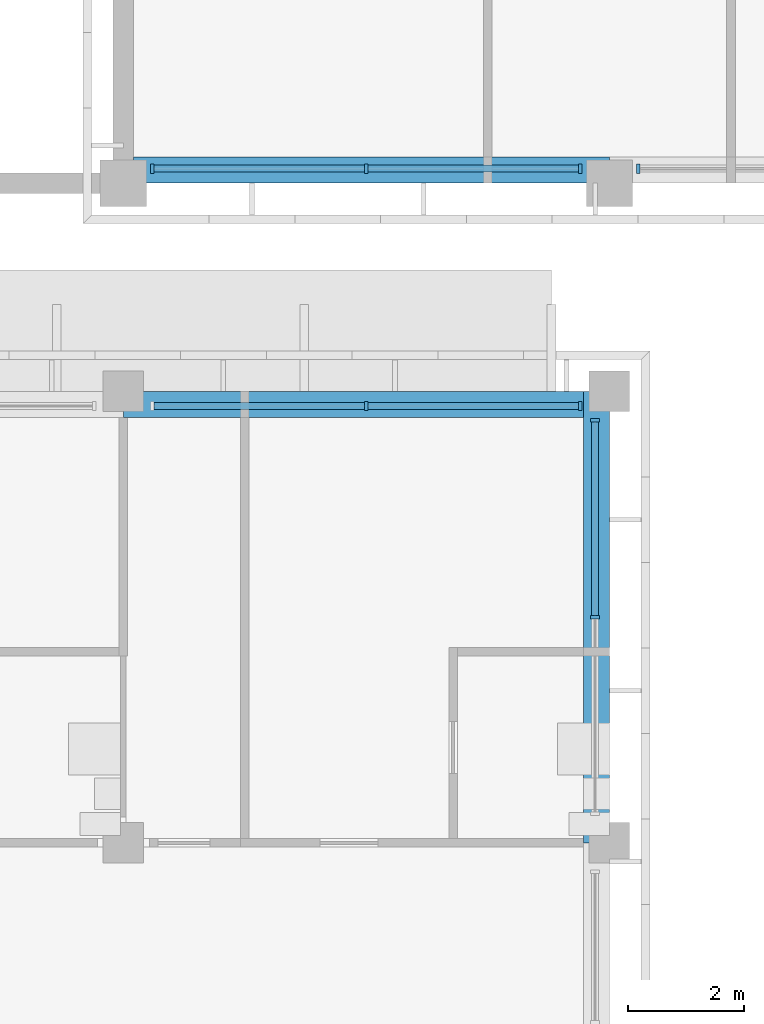
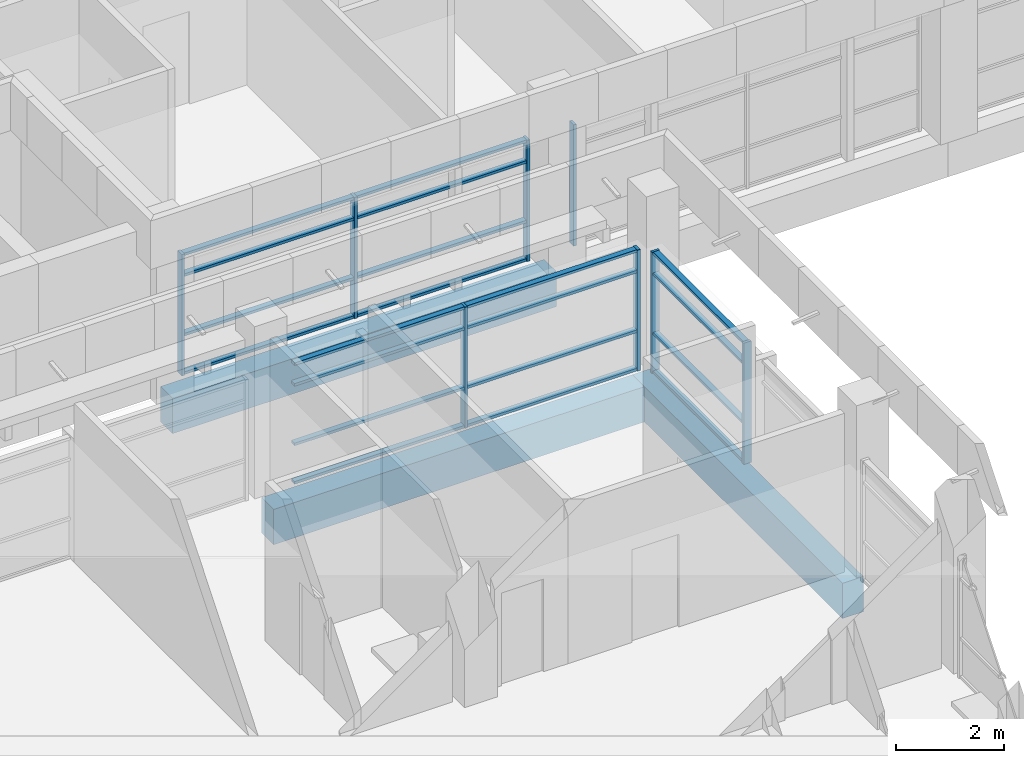
# One storey, part 16 of 71: 28 members, 3 beams, 4 elements without a shape of their own.
"""IFC4 building model written with IfcOpenShell, lengths in metres."""

from ifc_helpers import new_model, si_unit, direction, frame, origin, origin_2d, place, context, subcontext, project, spatial, rectangle, extrude, material, material_profile, profile_set, type_object, element, aggregate, save


model = new_model("IFC4")

# Units and contexts
model_context = context("Model", 3, precision=1e-05, world=origin(), true_north=direction((0.0, 1.0)))
body_context = subcontext(model_context, "Body", "Model", "MODEL_VIEW")
ifc_project = project(units=[si_unit("LENGTHUNIT", "METRE"), si_unit("AREAUNIT", "SQUARE_METRE"), si_unit("VOLUMEUNIT", "CUBIC_METRE"), si_unit("PLANEANGLEUNIT", "RADIAN"), si_unit("MASSUNIT", "GRAM", prefix="KILO")], contexts=[model_context])

# Site, building, storey
site_placement = place(None, origin())
site = spatial("IfcSite", under=ifc_project, at=site_placement, CompositionType="ELEMENT")
building_placement = place(site_placement, origin())
building = spatial("IfcBuilding", under=site, at=building_placement, Name="Bougainvillea Quay General Hospital", CompositionType="ELEMENT")
storey_placement = place(building_placement, frame((0.0, 0.0, 24.89990234375)))
storey = spatial("IfcBuildingStorey", under=building, at=storey_placement, Name="L05", CompositionType="ELEMENT", Elevation=24.89990234375)

# Curtain wall, members
ifc_material_1 = material(Name="Aluminium curtain wall system, powder-coated glazed", Category="aluminium")
curtain_wall_type_1 = type_object("IfcCurtainWallType", Name="Unitised curtain wall CW-3730", PredefinedType="NOTDEFINED", material=ifc_material_1)
curtain_wall_1_placement = place(storey_placement, origin())
curtain_wall_1 = element("IfcCurtainWall", 1, at=curtain_wall_1_placement, inside=storey, type_object=curtain_wall_type_1, Name="CW-4200 00", PredefinedType="NOTDEFINED")
ifc_material_2 = material(Name="Aluminium mullion, powder-coated charcoal", Category="aluminium")
ifc_material_profile_1 = material_profile(ifc_material_2, rectangle(XDim=0.159912109375, YDim=0.06005859375, at=origin_2d()))
ifc_profile_set_1 = profile_set([ifc_material_profile_1], Name="Aluminium mullion, powder-coated charcoal")
member_type_1 = type_object("IfcMemberType", Name="Curtain wall mullion 160x60", PredefinedType="MULLION", material=ifc_profile_set_1)
member_1_placement = place(storey_placement, frame((160.10009765625, 140.64990234375, 0.0), z_axis=(0.0, 0.0, 1.0), x_axis=(0.0, 1.0, 0.0)))
member_1 = element("IfcMember", 2, at=member_1_placement, type_object=member_type_1, Name="CW-4200 mullion 1", PredefinedType="MULLION", context=body_context, shape_type="SweptSolid", body=[
    extrude(rectangle(XDim=0.159912109375, YDim=0.06005859375, at=origin_2d()), origin(), (0.0, 0.0, 1.0), 2.75),
])
member_2_placement = place(storey_placement, frame((163.800048828125, 140.64990234375, 0.0), z_axis=(0.0, 0.0, 1.0), x_axis=(0.0, 1.0, 0.0)))
member_2 = element("IfcMember", 3, at=member_2_placement, type_object=member_type_1, Name="CW-4200 mullion 2", PredefinedType="MULLION", context=body_context, shape_type="SweptSolid", body=[
    extrude(rectangle(XDim=0.159912109375, YDim=0.06005859375, at=origin_2d()), origin(), (0.0, 0.0, 1.0), 2.75),
])
member_3_placement = place(storey_placement, frame((167.5, 140.64990234375, 0.0), z_axis=(0.0, 0.0, 1.0), x_axis=(0.0, 1.0, 0.0)))
member_3 = element("IfcMember", 4, at=member_3_placement, type_object=member_type_1, Name="CW-4200 mullion 3", PredefinedType="MULLION", context=body_context, shape_type="SweptSolid", body=[
    extrude(rectangle(XDim=0.159912109375, YDim=0.06005859375, at=origin_2d()), origin(), (0.0, 0.0, 1.0), 2.75),
])

# Curtain wall, member
curtain_wall_2_placement = place(storey_placement, origin())
curtain_wall_2 = element("IfcCurtainWall", 5, at=curtain_wall_2_placement, inside=storey, type_object=curtain_wall_type_1, Name="CW-4200 01", PredefinedType="NOTDEFINED")
member_4_placement = place(storey_placement, frame((168.5, 140.64990234375, 0.0), z_axis=(0.0, 0.0, 1.0), x_axis=(0.0, 1.0, 0.0)))
member_4 = element("IfcMember", 6, at=member_4_placement, type_object=member_type_1, Name="CW-4200 mullion 1", PredefinedType="MULLION", context=body_context, shape_type="SweptSolid", body=[
    extrude(rectangle(XDim=0.159912109375, YDim=0.06005859375, at=origin_2d()), origin(), (0.0, 0.0, 1.0), 2.75),
])
aggregate(curtain_wall_2, [member_4])

# Curtain wall, members
curtain_wall_type_2 = type_object("IfcCurtainWallType", Name="Unitised curtain wall CW-3430", PredefinedType="NOTDEFINED", material=ifc_material_1)
curtain_wall_3_placement = place(storey_placement, origin())
curtain_wall_3 = element("IfcCurtainWall", 7, at=curtain_wall_3_placement, inside=storey, type_object=curtain_wall_type_2, Name="CW-4200 02", PredefinedType="NOTDEFINED")
member_5_placement = place(storey_placement, frame((167.75, 132.89990234375, 0.0), z_axis=(0.0, 0.0, 1.0), x_axis=(-1.0, 0.0, 0.0)))
member_5 = element("IfcMember", 8, at=member_5_placement, type_object=member_type_1, Name="CW-4200 mullion 2", PredefinedType="MULLION", context=body_context, shape_type="SweptSolid", body=[
    extrude(rectangle(XDim=0.159912109375, YDim=0.06005859375, at=origin_2d()), origin(), (0.0, 0.0, 1.0), 2.75),
])
member_6_placement = place(storey_placement, frame((167.75, 136.300048828125, 0.0), z_axis=(0.0, 0.0, 1.0), x_axis=(-1.0, 0.0, 0.0)))
member_6 = element("IfcMember", 9, at=member_6_placement, type_object=member_type_1, Name="CW-4200 mullion 3", PredefinedType="MULLION", context=body_context, shape_type="SweptSolid", body=[
    extrude(rectangle(XDim=0.159912109375, YDim=0.06005859375, at=origin_2d()), origin(), (0.0, 0.0, 1.0), 2.75),
])

curtain_wall_4_placement = place(storey_placement, origin())
curtain_wall_4 = element("IfcCurtainWall", 10, at=curtain_wall_4_placement, inside=storey, type_object=curtain_wall_type_1, Name="CW-4200 00", PredefinedType="NOTDEFINED")
member_7_placement = place(storey_placement, frame((167.5, 136.550048828125, 0.0), z_axis=(0.0, 0.0, 1.0), x_axis=(0.0, -1.0, 0.0)))
member_7 = element("IfcMember", 11, at=member_7_placement, type_object=member_type_1, Name="CW-4200 mullion 1", PredefinedType="MULLION", context=body_context, shape_type="SweptSolid", body=[
    extrude(rectangle(XDim=0.159912109375, YDim=0.06005859375, at=origin_2d()), origin(), (0.0, 0.0, 1.0), 2.75),
])
member_8_placement = place(storey_placement, frame((163.800048828125, 136.550048828125, 0.0), z_axis=(0.0, 0.0, 1.0), x_axis=(0.0, -1.0, 0.0)))
member_8 = element("IfcMember", 12, at=member_8_placement, type_object=member_type_1, Name="CW-4200 mullion 2", PredefinedType="MULLION", context=body_context, shape_type="SweptSolid", body=[
    extrude(rectangle(XDim=0.159912109375, YDim=0.06005859375, at=origin_2d()), origin(), (0.0, 0.0, 1.0), 2.75),
])

# Member
ifc_material_3 = material(Name="Aluminium transom, powder-coated charcoal", Category="aluminium")
ifc_material_profile_2 = material_profile(ifc_material_3, rectangle(XDim=0.1201171875, YDim=0.06005859375, at=origin_2d()))
ifc_profile_set_2 = profile_set([ifc_material_profile_2], Name="Aluminium transom, powder-coated charcoal")
member_type_2 = type_object("IfcMemberType", Name="Curtain wall transom 120x60", PredefinedType="USERDEFINED", material=ifc_profile_set_2)
member_9_placement = place(storey_placement, frame((160.1298828125, 140.64990234375, 0.030029296875), z_axis=(1.0, 0.0, 0.0), x_axis=(0.0, 1.0, 0.0)))
member_9 = element("IfcMember", 13, at=member_9_placement, type_object=member_type_2, Name="CW-4200 transom 1.1", ObjectType="TRANSOM", PredefinedType="USERDEFINED", context=body_context, shape_type="SweptSolid", body=[
    extrude(rectangle(XDim=0.1201171875, YDim=0.06005859375, at=origin_2d()), origin(), (0.0, 0.0, 1.0), 3.64013671875),
])

member_10_placement = place(storey_placement, frame((160.1298828125, 140.64990234375, 0.900146484375), z_axis=(1.0, 0.0, 0.0), x_axis=(0.0, 1.0, 0.0)))
member_10 = element("IfcMember", 14, at=member_10_placement, type_object=member_type_2, Name="CW-4200 transom 1.2", ObjectType="TRANSOM", PredefinedType="USERDEFINED", context=body_context, shape_type="SweptSolid", body=[
    extrude(rectangle(XDim=0.1201171875, YDim=0.06005859375, at=origin_2d()), origin(), (0.0, 0.0, 1.0), 3.64013671875),
])

member_11_placement = place(storey_placement, frame((160.1298828125, 140.64990234375, 2.25), z_axis=(1.0, 0.0, 0.0), x_axis=(0.0, 1.0, 0.0)))
member_11 = element("IfcMember", 15, at=member_11_placement, type_object=member_type_2, Name="CW-4200 transom 1.3", ObjectType="TRANSOM", PredefinedType="USERDEFINED", context=body_context, shape_type="SweptSolid", body=[
    extrude(rectangle(XDim=0.1201171875, YDim=0.06005859375, at=origin_2d()), origin(), (0.0, 0.0, 1.0), 3.64013671875),
])

member_12_placement = place(storey_placement, frame((160.1298828125, 140.64990234375, 2.72021484375), z_axis=(1.0, 0.0, 0.0), x_axis=(0.0, 1.0, 0.0)))
member_12 = element("IfcMember", 16, at=member_12_placement, type_object=member_type_2, Name="CW-4200 transom 1.4", ObjectType="TRANSOM", PredefinedType="USERDEFINED", context=body_context, shape_type="SweptSolid", body=[
    extrude(rectangle(XDim=0.1201171875, YDim=0.06005859375, at=origin_2d()), origin(), (0.0, 0.0, 1.0), 3.64013671875),
])

member_13_placement = place(storey_placement, frame((163.830078125, 140.64990234375, 0.030029296875), z_axis=(1.0, 0.0, 0.0), x_axis=(0.0, 1.0, 0.0)))
member_13 = element("IfcMember", 17, at=member_13_placement, type_object=member_type_2, Name="CW-4200 transom 2.1", ObjectType="TRANSOM", PredefinedType="USERDEFINED", context=body_context, shape_type="SweptSolid", body=[
    extrude(rectangle(XDim=0.1201171875, YDim=0.06005859375, at=origin_2d()), origin(), (0.0, 0.0, 1.0), 3.639892578125),
])

member_14_placement = place(storey_placement, frame((163.830078125, 140.64990234375, 0.900146484375), z_axis=(1.0, 0.0, 0.0), x_axis=(0.0, 1.0, 0.0)))
member_14 = element("IfcMember", 18, at=member_14_placement, type_object=member_type_2, Name="CW-4200 transom 2.2", ObjectType="TRANSOM", PredefinedType="USERDEFINED", context=body_context, shape_type="SweptSolid", body=[
    extrude(rectangle(XDim=0.1201171875, YDim=0.06005859375, at=origin_2d()), origin(), (0.0, 0.0, 1.0), 3.639892578125),
])

member_15_placement = place(storey_placement, frame((163.830078125, 140.64990234375, 2.25), z_axis=(1.0, 0.0, 0.0), x_axis=(0.0, 1.0, 0.0)))
member_15 = element("IfcMember", 19, at=member_15_placement, type_object=member_type_2, Name="CW-4200 transom 2.3", ObjectType="TRANSOM", PredefinedType="USERDEFINED", context=body_context, shape_type="SweptSolid", body=[
    extrude(rectangle(XDim=0.1201171875, YDim=0.06005859375, at=origin_2d()), origin(), (0.0, 0.0, 1.0), 3.639892578125),
])

member_16_placement = place(storey_placement, frame((163.830078125, 140.64990234375, 2.72021484375), z_axis=(1.0, 0.0, 0.0), x_axis=(0.0, 1.0, 0.0)))
member_16 = element("IfcMember", 20, at=member_16_placement, type_object=member_type_2, Name="CW-4200 transom 2.4", ObjectType="TRANSOM", PredefinedType="USERDEFINED", context=body_context, shape_type="SweptSolid", body=[
    extrude(rectangle(XDim=0.1201171875, YDim=0.06005859375, at=origin_2d()), origin(), (0.0, 0.0, 1.0), 3.639892578125),
])

aggregate(curtain_wall_1, [member_1, member_2, member_3, member_9, member_10, member_11, member_12, member_13, member_14, member_15, member_16])

member_17_placement = place(storey_placement, frame((167.75, 132.929931640625, 0.030029296875), z_axis=(0.0, 1.0, 0.0), x_axis=(-1.0, 0.0, 0.0)))
member_17 = element("IfcMember", 21, at=member_17_placement, type_object=member_type_2, Name="CW-4200 transom 2.1", ObjectType="TRANSOM", PredefinedType="USERDEFINED", context=body_context, shape_type="SweptSolid", body=[
    extrude(rectangle(XDim=0.1201171875, YDim=0.06005859375, at=origin_2d()), origin(), (0.0, 0.0, 1.0), 3.340087890625),
])

member_18_placement = place(storey_placement, frame((167.75, 132.929931640625, 0.900146484375), z_axis=(0.0, 1.0, 0.0), x_axis=(-1.0, 0.0, 0.0)))
member_18 = element("IfcMember", 22, at=member_18_placement, type_object=member_type_2, Name="CW-4200 transom 2.2", ObjectType="TRANSOM", PredefinedType="USERDEFINED", context=body_context, shape_type="SweptSolid", body=[
    extrude(rectangle(XDim=0.1201171875, YDim=0.06005859375, at=origin_2d()), origin(), (0.0, 0.0, 1.0), 3.340087890625),
])

member_19_placement = place(storey_placement, frame((167.75, 132.929931640625, 2.25), z_axis=(0.0, 1.0, 0.0), x_axis=(-1.0, 0.0, 0.0)))
member_19 = element("IfcMember", 23, at=member_19_placement, type_object=member_type_2, Name="CW-4200 transom 2.3", ObjectType="TRANSOM", PredefinedType="USERDEFINED", context=body_context, shape_type="SweptSolid", body=[
    extrude(rectangle(XDim=0.1201171875, YDim=0.06005859375, at=origin_2d()), origin(), (0.0, 0.0, 1.0), 3.340087890625),
])

member_20_placement = place(storey_placement, frame((167.75, 132.929931640625, 2.72021484375), z_axis=(0.0, 1.0, 0.0), x_axis=(-1.0, 0.0, 0.0)))
member_20 = element("IfcMember", 24, at=member_20_placement, type_object=member_type_2, Name="CW-4200 transom 2.4", ObjectType="TRANSOM", PredefinedType="USERDEFINED", context=body_context, shape_type="SweptSolid", body=[
    extrude(rectangle(XDim=0.1201171875, YDim=0.06005859375, at=origin_2d()), origin(), (0.0, 0.0, 1.0), 3.340087890625),
])

aggregate(curtain_wall_3, [member_5, member_6, member_17, member_18, member_19, member_20])

member_21_placement = place(storey_placement, frame((167.469970703125, 136.550048828125, 0.030029296875), z_axis=(-1.0, 0.0, 0.0), x_axis=(0.0, -1.0, 0.0)))
member_21 = element("IfcMember", 25, at=member_21_placement, type_object=member_type_2, Name="CW-4200 transom 1.1", ObjectType="TRANSOM", PredefinedType="USERDEFINED", context=body_context, shape_type="SweptSolid", body=[
    extrude(rectangle(XDim=0.1201171875, YDim=0.06005859375, at=origin_2d()), origin(), (0.0, 0.0, 1.0), 3.639892578125),
])

member_22_placement = place(storey_placement, frame((167.469970703125, 136.550048828125, 0.900146484375), z_axis=(-1.0, 0.0, 0.0), x_axis=(0.0, -1.0, 0.0)))
member_22 = element("IfcMember", 26, at=member_22_placement, type_object=member_type_2, Name="CW-4200 transom 1.2", ObjectType="TRANSOM", PredefinedType="USERDEFINED", context=body_context, shape_type="SweptSolid", body=[
    extrude(rectangle(XDim=0.1201171875, YDim=0.06005859375, at=origin_2d()), origin(), (0.0, 0.0, 1.0), 3.639892578125),
])

member_23_placement = place(storey_placement, frame((167.469970703125, 136.550048828125, 2.25), z_axis=(-1.0, 0.0, 0.0), x_axis=(0.0, -1.0, 0.0)))
member_23 = element("IfcMember", 27, at=member_23_placement, type_object=member_type_2, Name="CW-4200 transom 1.3", ObjectType="TRANSOM", PredefinedType="USERDEFINED", context=body_context, shape_type="SweptSolid", body=[
    extrude(rectangle(XDim=0.1201171875, YDim=0.06005859375, at=origin_2d()), origin(), (0.0, 0.0, 1.0), 3.639892578125),
])

member_24_placement = place(storey_placement, frame((167.469970703125, 136.550048828125, 2.72021484375), z_axis=(-1.0, 0.0, 0.0), x_axis=(0.0, -1.0, 0.0)))
member_24 = element("IfcMember", 28, at=member_24_placement, type_object=member_type_2, Name="CW-4200 transom 1.4", ObjectType="TRANSOM", PredefinedType="USERDEFINED", context=body_context, shape_type="SweptSolid", body=[
    extrude(rectangle(XDim=0.1201171875, YDim=0.06005859375, at=origin_2d()), origin(), (0.0, 0.0, 1.0), 3.639892578125),
])

member_25_placement = place(storey_placement, frame((163.77001953125, 136.550048828125, 0.030029296875), z_axis=(-1.0, 0.0, 0.0), x_axis=(0.0, -1.0, 0.0)))
member_25 = element("IfcMember", 29, at=member_25_placement, type_object=member_type_2, Name="CW-4200 transom 2.1", ObjectType="TRANSOM", PredefinedType="USERDEFINED", context=body_context, shape_type="SweptSolid", body=[
    extrude(rectangle(XDim=0.1201171875, YDim=0.06005859375, at=origin_2d()), origin(), (0.0, 0.0, 1.0), 3.64013671875),
])

member_26_placement = place(storey_placement, frame((163.77001953125, 136.550048828125, 0.900146484375), z_axis=(-1.0, 0.0, 0.0), x_axis=(0.0, -1.0, 0.0)))
member_26 = element("IfcMember", 30, at=member_26_placement, type_object=member_type_2, Name="CW-4200 transom 2.2", ObjectType="TRANSOM", PredefinedType="USERDEFINED", context=body_context, shape_type="SweptSolid", body=[
    extrude(rectangle(XDim=0.1201171875, YDim=0.06005859375, at=origin_2d()), origin(), (0.0, 0.0, 1.0), 3.64013671875),
])

member_27_placement = place(storey_placement, frame((163.77001953125, 136.550048828125, 2.25), z_axis=(-1.0, 0.0, 0.0), x_axis=(0.0, -1.0, 0.0)))
member_27 = element("IfcMember", 31, at=member_27_placement, type_object=member_type_2, Name="CW-4200 transom 2.3", ObjectType="TRANSOM", PredefinedType="USERDEFINED", context=body_context, shape_type="SweptSolid", body=[
    extrude(rectangle(XDim=0.1201171875, YDim=0.06005859375, at=origin_2d()), origin(), (0.0, 0.0, 1.0), 3.64013671875),
])

member_28_placement = place(storey_placement, frame((163.77001953125, 136.550048828125, 2.72021484375), z_axis=(-1.0, 0.0, 0.0), x_axis=(0.0, -1.0, 0.0)))
member_28 = element("IfcMember", 32, at=member_28_placement, type_object=member_type_2, Name="CW-4200 transom 2.4", ObjectType="TRANSOM", PredefinedType="USERDEFINED", context=body_context, shape_type="SweptSolid", body=[
    extrude(rectangle(XDim=0.1201171875, YDim=0.06005859375, at=origin_2d()), origin(), (0.0, 0.0, 1.0), 3.64013671875),
])

aggregate(curtain_wall_4, [member_7, member_8, member_21, member_22, member_23, member_24, member_25, member_26, member_27, member_28])

# Beams
ifc_material_4 = material(Name="Concrete C40", Category="concrete")
ifc_material_profile_3 = material_profile(ifc_material_4, rectangle(XDim=0.449951171875, YDim=0.800048828125, at=origin_2d()))
ifc_profile_set_3 = profile_set([ifc_material_profile_3], Name="Concrete C40")
beam_type = type_object("IfcBeamType", Name="RC BEAM 450x800 C40", PredefinedType="BEAM", material=ifc_profile_set_3)
beam_1_placement = place(storey_placement, frame((159.77490234375, 140.625, -0.699951171875), z_axis=(1.0, 0.0, 0.0), x_axis=(0.0, 1.0, 0.0)))
element("IfcBeam", 33, at=beam_1_placement, inside=storey, type_object=beam_type, Name="Edge beam L05", PredefinedType="BEAM", context=body_context, shape_type="SweptSolid", body=[
    extrude(rectangle(XDim=0.449951171875, YDim=0.800048828125, at=origin_2d()), origin(), (0.0, 0.0, 1.0), 8.22509765625),
])
beam_2_placement = place(storey_placement, frame((167.77490234375, 129.0, -0.699951171875), z_axis=(0.0, 1.0, 0.0), x_axis=(-1.0, 0.0, 0.0)))
element("IfcBeam", 34, at=beam_2_placement, inside=storey, type_object=beam_type, Name="Edge beam L05", PredefinedType="BEAM", context=body_context, shape_type="SweptSolid", body=[
    extrude(rectangle(XDim=0.449951171875, YDim=0.800048828125, at=origin_2d()), origin(), (0.0, 0.0, 1.0), 7.800048828125),
])
beam_3_placement = place(storey_placement, frame((168.0, 136.574951171875, -0.699951171875), z_axis=(-1.0, 0.0, 0.0), x_axis=(0.0, -1.0, 0.0)))
element("IfcBeam", 35, at=beam_3_placement, inside=storey, type_object=beam_type, Name="Edge beam L05", PredefinedType="BEAM", context=body_context, shape_type="SweptSolid", body=[
    extrude(rectangle(XDim=0.449951171875, YDim=0.800048828125, at=origin_2d()), origin(), (0.0, 0.0, 1.0), 8.39990234375),
])

save(model, "model.ifc")
